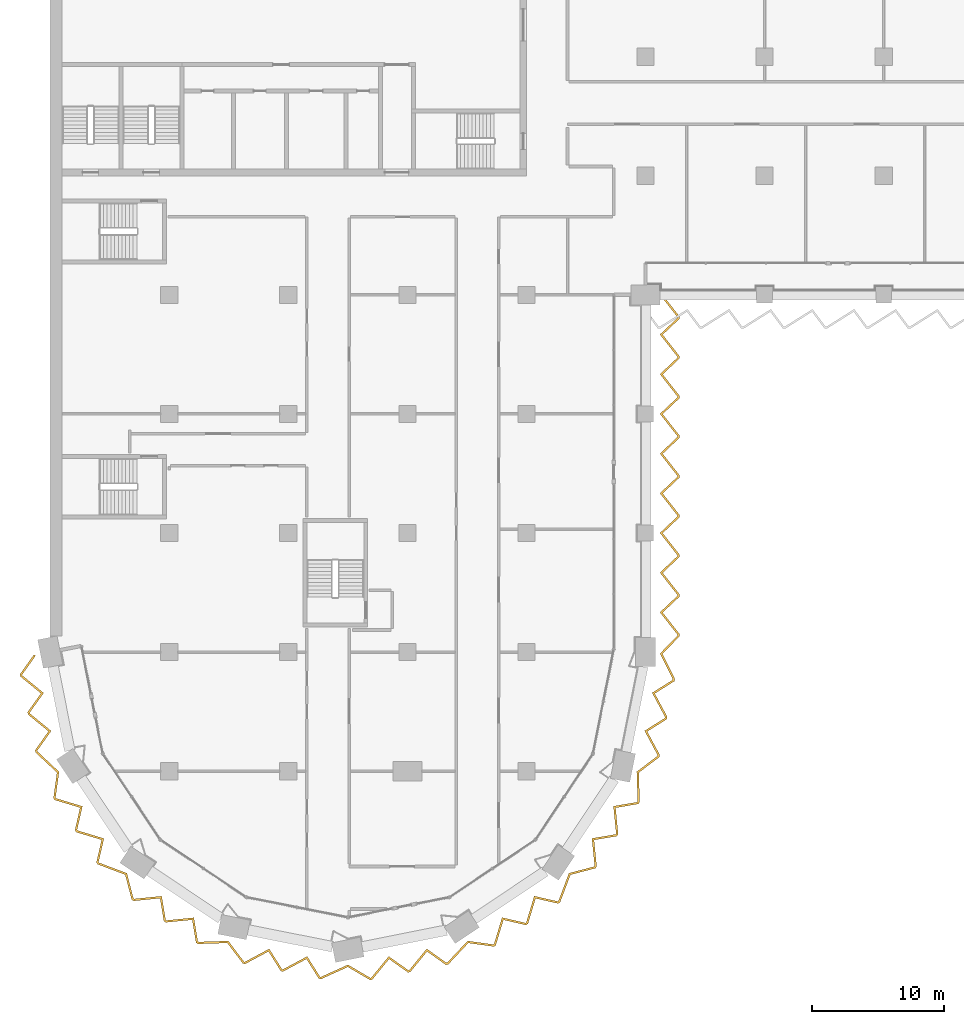
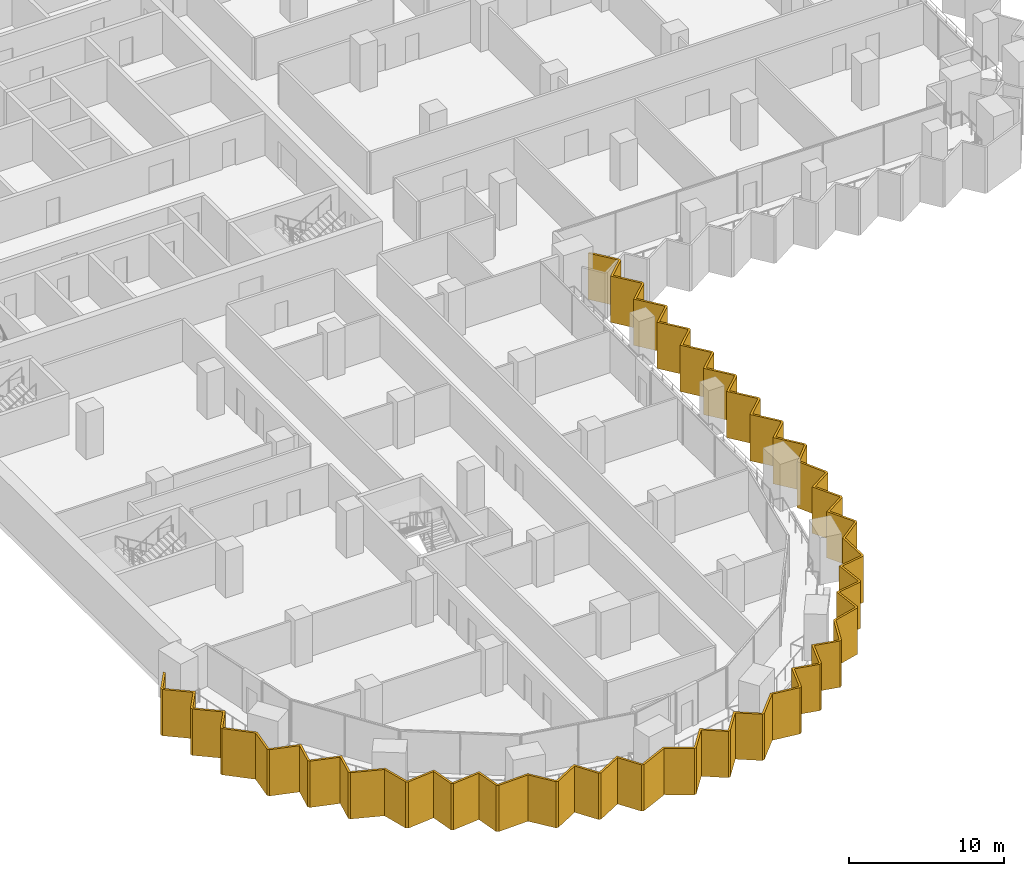
# One storey, part 18 of 22: 1 shading device.
"""IFC4 building model written with IfcOpenShell, lengths in metres."""

from ifc_helpers import new_model, si_unit, direction, frame, origin, place, context, subcontext, project, spatial, polyline, outline, extrude, material, layer, layer_set, type_object, element, save


model = new_model("IFC4")

# Units and contexts
model_context = context("Model", 3, precision=1e-05, world=origin(), true_north=direction((0.0, 1.0)))
body_context = subcontext(model_context, "Body", "Model", "MODEL_VIEW")
ifc_project = project(units=[si_unit("LENGTHUNIT", "METRE"), si_unit("AREAUNIT", "SQUARE_METRE"), si_unit("VOLUMEUNIT", "CUBIC_METRE"), si_unit("PLANEANGLEUNIT", "RADIAN"), si_unit("MASSUNIT", "GRAM", prefix="KILO")], contexts=[model_context])

# Site, building, storey
site_placement = place(None, origin())
site = spatial("IfcSite", under=ifc_project, at=site_placement, CompositionType="ELEMENT")
building_placement = place(site_placement, origin())
building = spatial("IfcBuilding", under=site, at=building_placement, Name="Hunhe Ridgeline Campus", CompositionType="ELEMENT")
storey_placement = place(building_placement, frame((0.0, 0.0, 92.199951171875)))
storey = spatial("IfcBuildingStorey", under=building, at=storey_placement, Name="L22", CompositionType="ELEMENT", Elevation=92.199951171875)

# Shading device
ifc_material = material(Name="Concrete C50", Category="concrete")
ifc_layer = layer(ifc_material, 0.14990234375)
ifc_layer_set = layer_set([ifc_layer], Name="Sawtooth concrete fin 150 Concrete C50")
shading_device_type = type_object("IfcShadingDeviceType", Name="Sawtooth concrete fin 150 Concrete C50", PredefinedType="USERDEFINED", material=ifc_layer_set)
shading_device_placement = place(storey_placement, frame((0.0, 0.0, -0.949951171875)))
element("IfcShadingDevice", 1, at=shading_device_placement, inside=storey, type_object=shading_device_type, Name="Concrete fin screen 1", ObjectType="FIN", PredefinedType="USERDEFINED", context=body_context, shape_type="SweptSolid", body=[
    extrude(outline(polyline([(-1.10498046875, 26.724609375), (-1.22705078125, 26.8115234375), (-2.28173828125, 25.3291015625), (-2.246826171875, 25.153076171875), (-0.69677734375, 23.88427734375), (-1.710693359375, 22.458740234375), (-1.67578125, 22.282958984375), (-0.1259765625, 21.01416015625), (-1.139892578125, 19.588623046875), (-1.10546875, 19.415771484375), (0.51318359375, 17.897705078125), (0.246337890625, 15.969482421875), (0.34375, 15.823486328125), (2.26123046875, 15.244384765625), (1.869873046875, 13.53955078125), (1.969482421875, 13.390380859375), (3.886962890625, 12.811279296875), (3.495849609375, 11.106201171875), (3.59375, 10.95947265625), (5.670166015625, 10.176513671875), (6.161376953125, 8.29296875), (6.307373046875, 8.195556640625), (8.300537109375, 8.394287109375), (8.591552734375, 6.669189453125), (8.740478515625, 6.56982421875), (10.733642578125, 6.768310546875), (11.024658203125, 5.04345703125), (11.17138671875, 4.945556640625), (13.389404296875, 5.0166015625), (14.56396484375, 3.46435546875), (14.736083984375, 3.43017578125), (16.50146484375, 4.37646484375), (17.430419921875, 2.894287109375), (17.606201171875, 2.859375), (19.37158203125, 3.8056640625), (20.300537109375, 2.323486328125), (20.4736328125, 2.2890625), (22.49560546875, 3.20361328125), (24.1748046875, 2.218994140625), (24.346923828125, 2.253173828125), (25.61572265625, 3.80322265625), (27.041259765625, 2.789306640625), (27.217041015625, 2.82421875), (28.48583984375, 4.3740234375), (29.911376953125, 3.360107421875), (30.084228515625, 3.39453125), (31.602294921875, 5.01318359375), (33.530517578125, 4.746337890625), (33.676513671875, 4.84375), (34.255615234375, 6.76123046875), (35.96044921875, 6.369873046875), (36.109619140625, 6.469482421875), (36.688720703125, 8.386962890625), (38.393798828125, 7.995849609375), (38.54052734375, 8.09375), (39.323486328125, 10.170166015625), (41.20703125, 10.661376953125), (41.304443359375, 10.807373046875), (41.105712890625, 12.800537109375), (42.830810546875, 13.091552734375), (42.93017578125, 13.240478515625), (42.731689453125, 15.233642578125), (44.45654296875, 15.524658203125), (44.554443359375, 15.67138671875), (44.4833984375, 17.889404296875), (46.03564453125, 19.06396484375), (46.06982421875, 19.236083984375), (45.12353515625, 21.00146484375), (46.605712890625, 21.930419921875), (46.640625, 22.106201171875), (45.6943359375, 23.87158203125), (47.176513671875, 24.800537109375), (47.211181640625, 24.974853515625), (46.279541015625, 26.86865234375), (47.56396484375, 28.19580078125), (47.56396484375, 28.3720703125), (46.290283203125, 29.992431640625), (47.56396484375, 31.19384765625), (47.56396484375, 31.3720703125), (46.290283203125, 32.992431640625), (47.56396484375, 34.19384765625), (47.56396484375, 34.3720703125), (46.290283203125, 35.992431640625), (47.56396484375, 37.19384765625), (47.56396484375, 37.3720703125), (46.290283203125, 38.992431640625), (47.56396484375, 40.19384765625), (47.56396484375, 40.3720703125), (46.290283203125, 41.992431640625), (47.56396484375, 43.19384765625), (47.56396484375, 43.3720703125), (46.290283203125, 44.992431640625), (47.56396484375, 46.19384765625), (47.56396484375, 46.3720703125), (46.290283203125, 47.992431640625), (47.56396484375, 49.19384765625), (47.56396484375, 49.3720703125), (46.290283203125, 50.992431640625), (47.56396484375, 52.19384765625), (47.56396484375, 52.3720703125), (46.247802734375, 54.04638671875), (46.1298828125, 53.95361328125), (47.413818359375, 52.320068359375), (47.413818359375, 52.258544921875), (46.087646484375, 51.007568359375), (47.413818359375, 49.320068359375), (47.413818359375, 49.258544921875), (46.087646484375, 48.007568359375), (47.413818359375, 46.320068359375), (47.413818359375, 46.258544921875), (46.087646484375, 45.007568359375), (47.413818359375, 43.320068359375), (47.413818359375, 43.258544921875), (46.087646484375, 42.007568359375), (47.413818359375, 40.320068359375), (47.413818359375, 40.258544921875), (46.087646484375, 39.007568359375), (47.413818359375, 37.320068359375), (47.413818359375, 37.258544921875), (46.087646484375, 36.007568359375), (47.413818359375, 34.320068359375), (47.413818359375, 34.258544921875), (46.087646484375, 33.007568359375), (47.413818359375, 31.320068359375), (47.413818359375, 31.258544921875), (46.087646484375, 30.007568359375), (47.413818359375, 28.320068359375), (47.413818359375, 28.256591796875), (46.098388671875, 26.897216796875), (47.05419921875, 24.954345703125), (47.0419921875, 24.893310546875), (45.495849609375, 23.92431640625), (46.483154296875, 22.082763671875), (46.47119140625, 22.023193359375), (44.925048828125, 21.05419921875), (45.912109375, 19.212646484375), (45.899658203125, 19.149169921875), (44.3310546875, 17.962158203125), (44.403076171875, 15.714599609375), (44.36767578125, 15.661865234375), (42.568359375, 15.358154296875), (42.775634765625, 13.279052734375), (42.741943359375, 13.228515625), (40.942626953125, 12.925048828125), (41.14990234375, 10.845947265625), (41.114013671875, 10.792236328125), (39.21044921875, 10.295654296875), (38.4169921875, 8.191650390625), (38.3642578125, 8.156494140625), (36.585693359375, 8.564453125), (35.9814453125, 6.564453125), (35.930908203125, 6.530517578125), (34.152587890625, 6.938720703125), (33.54833984375, 4.9384765625), (33.49462890625, 4.902587890625), (31.546142578125, 5.17236328125), (30.0078125, 3.5322265625), (29.945556640625, 3.519775390625), (28.45849609375, 4.57763671875), (27.135009765625, 2.960693359375), (27.075439453125, 2.948974609375), (25.58837890625, 4.006591796875), (24.264892578125, 2.389892578125), (24.201416015625, 2.377197265625), (22.50439453125, 3.3720703125), (20.45556640625, 2.445556640625), (20.393310546875, 2.4580078125), (19.42431640625, 4.004150390625), (17.582763671875, 3.016845703125), (17.523193359375, 3.02880859375), (16.55419921875, 4.574951171875), (14.712646484375, 3.587890625), (14.649169921875, 3.600341796875), (13.462158203125, 5.1689453125), (11.214599609375, 5.096923828125), (11.161865234375, 5.13232421875), (10.858154296875, 6.931640625), (8.779052734375, 6.724365234375), (8.728515625, 6.758056640625), (8.425048828125, 8.557373046875), (6.345947265625, 8.35009765625), (6.292236328125, 8.385986328125), (5.795654296875, 10.28955078125), (3.691650390625, 11.0830078125), (3.656494140625, 11.1357421875), (4.064453125, 12.914306640625), (2.064453125, 13.5185546875), (2.030517578125, 13.569091796875), (2.438720703125, 15.347412109375), (0.4384765625, 15.95166015625), (0.402587890625, 16.00537109375), (0.67236328125, 17.953857421875), (-0.9677734375, 19.4921875), (-0.980224609375, 19.554443359375), (0.07763671875, 21.04150390625), (-1.539306640625, 22.364990234375), (-1.551025390625, 22.424560546875), (-0.493408203125, 23.91162109375), (-2.110107421875, 25.235107421875), (-2.1220703125, 25.294677734375), (-1.10498046875, 26.724609375)])), origin(), (0.0, 0.0, 1.0), 3.64990234375),
])

save(model, "model.ifc")
